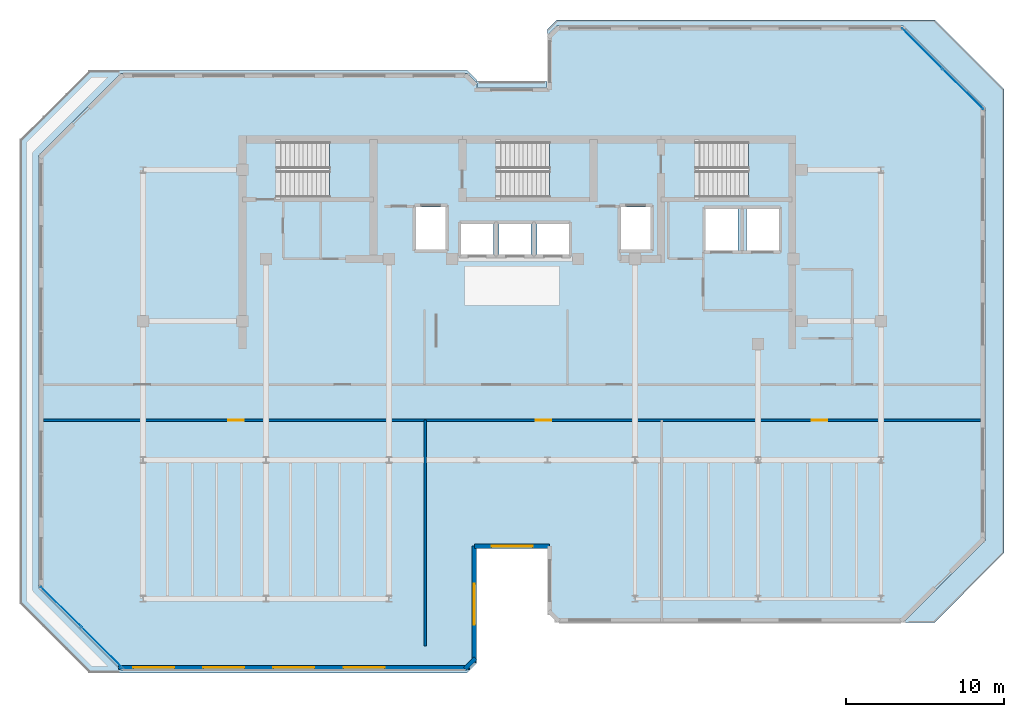
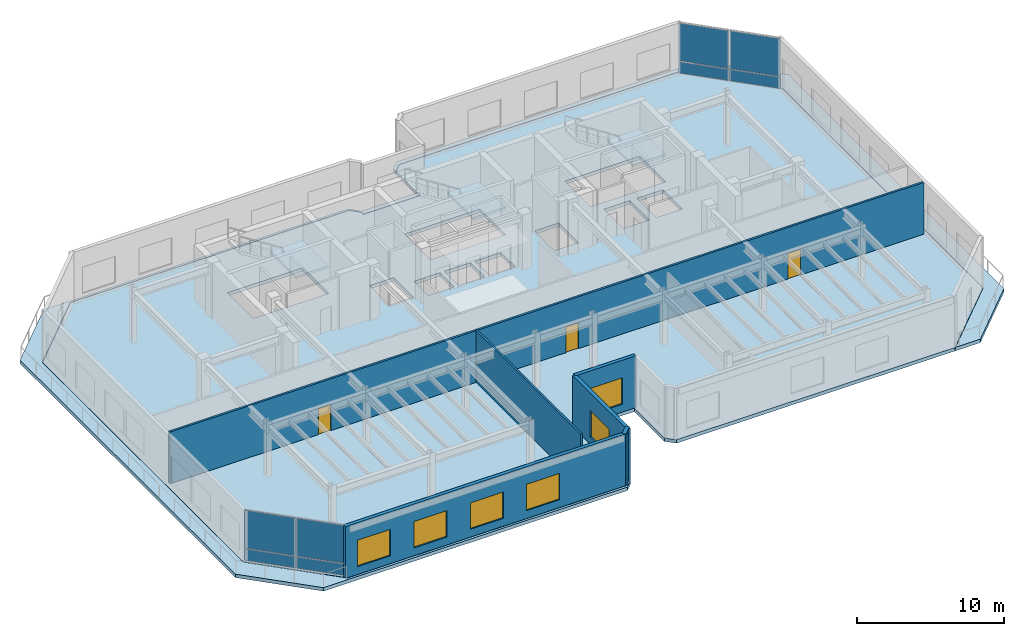
# One storey, part 5 of 14: 8 plates, 6 slabs, 6 walls, 6 windows, 3 doors, 9 openings, 5 elements without a shape of their own.
"""IFC4 building model written with IfcOpenShell, lengths in metres."""

from ifc_helpers import new_model, si_unit, direction, frame, frame_2d, origin, origin_2d, place, context, subcontext, project, spatial, polyline, rectangle, outline, extrude, material, layer, layer_set, type_object, element, fill, aggregate, save


model = new_model("IFC4")

# Units and contexts
model_context = context("Model", 3, precision=1e-05, world=origin(), true_north=direction((0.0, 1.0)))
body_context = subcontext(model_context, "Body", "Model", "MODEL_VIEW")
ifc_project = project(units=[si_unit("LENGTHUNIT", "METRE"), si_unit("AREAUNIT", "SQUARE_METRE"), si_unit("VOLUMEUNIT", "CUBIC_METRE"), si_unit("PLANEANGLEUNIT", "RADIAN"), si_unit("MASSUNIT", "GRAM", prefix="KILO")], contexts=[model_context])

# Site, building, storey
site_placement = place(None, origin())
site = spatial("IfcSite", under=ifc_project, at=site_placement, CompositionType="ELEMENT")
building_placement = place(site_placement, origin())
building = spatial("IfcBuilding", under=site, at=building_placement, Name="Kestravale Grand Hotel", CompositionType="ELEMENT")
storey_placement = place(building_placement, frame((0.0, 0.0, 297.39990234375)))
storey = spatial("IfcBuildingStorey", under=building, at=storey_placement, Name="L74", CompositionType="ELEMENT", Elevation=297.39990234375)

# Curtain wall, plates
ifc_material_1 = material(Name="Thermally broken champagne-bronze aluminium and low-E glazing", Category="aluminium")
ifc_layer_1 = layer(ifc_material_1, 0.239990234375)
ifc_layer_set_1 = layer_set([ifc_layer_1], Name="CW-OBS")
curtain_wall_type = type_object("IfcCurtainWallType", Name="CW-OBS", PredefinedType="NOTDEFINED", material=ifc_layer_set_1)
curtain_wall_1_placement = place(storey_placement, origin())
curtain_wall_1 = element("IfcCurtainWall", 1, at=curtain_wall_1_placement, inside=storey, type_object=curtain_wall_type, Name="L74 unitised curtain wall 10", PredefinedType="NOTDEFINED")
ifc_material_2 = material(Name="Insulated clear low-E double glazing IGU", Category="glass")
ifc_layer_2 = layer(ifc_material_2, 0.0400390625)
ifc_layer_set_2 = layer_set([ifc_layer_2], Name="CW-PNL-40")
plate_type = type_object("IfcPlateType", Name="CW-PNL-40", PredefinedType="CURTAIN_PANEL", material=ifc_layer_set_2)
plate_1_placement = place(storey_placement, frame((67.593017578125, 43.509033203125, 0.0751953125), z_axis=(0.0, 0.0, 1.0), x_axis=(-0.707106781187, 0.707106781187, 0.0)))
plate_1 = element("IfcPlate", 2, at=plate_1_placement, type_object=plate_type, Name="CW-OBS panel 1.1", PredefinedType="CURTAIN_PANEL", context=body_context, shape_type="SweptSolid", body=[
    extrude(rectangle(XDim=3.569580078125, YDim=0.0400390625, at=origin_2d()), origin(), (0.0, 0.0, 1.0), 0.9375),
])
plate_2_placement = place(storey_placement, frame((67.593017578125, 43.509033203125, 1.087646484375), z_axis=(0.0, 0.0, 1.0), x_axis=(-0.707106781187, 0.707106781187, 0.0)))
plate_2 = element("IfcPlate", 3, at=plate_2_placement, type_object=plate_type, Name="CW-OBS panel 1.2", PredefinedType="CURTAIN_PANEL", context=body_context, shape_type="SweptSolid", body=[
    extrude(rectangle(XDim=3.569580078125, YDim=0.0400390625, at=origin_2d()), origin(), (0.0, 0.0, 1.0), 3.1474609375),
])
plate_3_placement = place(storey_placement, frame((65.009033203125, 46.093017578125, 0.0751953125), z_axis=(0.0, 0.0, 1.0), x_axis=(-0.707106781187, 0.707106781187, 0.0)))
plate_3 = element("IfcPlate", 4, at=plate_3_placement, type_object=plate_type, Name="CW-OBS panel 2.1", PredefinedType="CURTAIN_PANEL", context=body_context, shape_type="SweptSolid", body=[
    extrude(rectangle(XDim=3.569580078125, YDim=0.0400390625, at=origin_2d()), origin(), (0.0, 0.0, 1.0), 0.9375),
])
plate_4_placement = place(storey_placement, frame((65.009033203125, 46.093017578125, 1.087646484375), z_axis=(0.0, 0.0, 1.0), x_axis=(-0.707106781187, 0.707106781187, 0.0)))
plate_4 = element("IfcPlate", 5, at=plate_4_placement, type_object=plate_type, Name="CW-OBS panel 2.2", PredefinedType="CURTAIN_PANEL", context=body_context, shape_type="SweptSolid", body=[
    extrude(rectangle(XDim=3.569580078125, YDim=0.0400390625, at=origin_2d()), origin(), (0.0, 0.0, 1.0), 3.1474609375),
])
aggregate(curtain_wall_1, [plate_1, plate_2, plate_3, plate_4])

curtain_wall_2_placement = place(storey_placement, origin())
curtain_wall_2 = element("IfcCurtainWall", 6, at=curtain_wall_2_placement, inside=storey, type_object=curtain_wall_type, Name="L74 unitised curtain wall 20", PredefinedType="NOTDEFINED")
plate_5_placement = place(storey_placement, frame((10.406982421875, 10.691162109375, 0.0751953125), z_axis=(0.0, 0.0, 1.0), x_axis=(0.707106781187, -0.707106781187, 0.0)))
plate_5 = element("IfcPlate", 7, at=plate_5_placement, type_object=plate_type, Name="CW-OBS panel 1.1", PredefinedType="CURTAIN_PANEL", context=body_context, shape_type="SweptSolid", body=[
    extrude(rectangle(XDim=3.569580078125, YDim=0.0400390625, at=origin_2d()), origin(), (0.0, 0.0, 1.0), 0.9375),
])
plate_6_placement = place(storey_placement, frame((10.406982421875, 10.691162109375, 1.087646484375), z_axis=(0.0, 0.0, 1.0), x_axis=(0.707106781187, -0.707106781187, 0.0)))
plate_6 = element("IfcPlate", 8, at=plate_6_placement, type_object=plate_type, Name="CW-OBS panel 1.2", PredefinedType="CURTAIN_PANEL", context=body_context, shape_type="SweptSolid", body=[
    extrude(rectangle(XDim=3.569580078125, YDim=0.0400390625, at=origin_2d()), origin(), (0.0, 0.0, 1.0), 3.1474609375),
])
plate_7_placement = place(storey_placement, frame((12.990966796875, 8.10693359375, 0.0751953125), z_axis=(0.0, 0.0, 1.0), x_axis=(0.707106781187, -0.707106781187, 0.0)))
plate_7 = element("IfcPlate", 9, at=plate_7_placement, type_object=plate_type, Name="CW-OBS panel 2.1", PredefinedType="CURTAIN_PANEL", context=body_context, shape_type="SweptSolid", body=[
    extrude(rectangle(XDim=3.569580078125, YDim=0.0400390625, at=origin_2d()), origin(), (0.0, 0.0, 1.0), 0.9375),
])
plate_8_placement = place(storey_placement, frame((12.990966796875, 8.10693359375, 1.087646484375), z_axis=(0.0, 0.0, 1.0), x_axis=(0.707106781187, -0.707106781187, 0.0)))
plate_8 = element("IfcPlate", 10, at=plate_8_placement, type_object=plate_type, Name="CW-OBS panel 2.2", PredefinedType="CURTAIN_PANEL", context=body_context, shape_type="SweptSolid", body=[
    extrude(rectangle(XDim=3.569580078125, YDim=0.0400390625, at=origin_2d()), origin(), (0.0, 0.0, 1.0), 3.1474609375),
])
aggregate(curtain_wall_2, [plate_5, plate_6, plate_7, plate_8])

# Slabs
ifc_material_3 = material(Name="Concrete f'c 45 MPa", Category="concrete")
ifc_layer_3 = layer(ifc_material_3, 0.2900390625)
ifc_layer_set_3 = layer_set([ifc_layer_3], Name="ES-TERR-290")
slab_type_1 = type_object("IfcSlabType", Name="ES-TERR-290", PredefinedType="ROOF", material=ifc_layer_set_3)
slab_1_placement = place(storey_placement, frame((0.0, 0.0, -0.289794921875)))
element("IfcSlab", 11, at=slab_1_placement, inside=storey, type_object=slab_type_1, Name="L74 setback terrace 1", PredefinedType="ROOF", context=body_context, shape_type="SweptSolid", body=[
    extrude(outline(polyline([(36.75, 7.10009765625), (36.14990234375, 6.5), (12.199951171875, 6.5), (7.800048828125, 10.89990234375), (7.800048828125, 40.300048828125), (12.199951171875, 44.699951171875), (36.14990234375, 44.699951171875), (36.75, 44.10009765625), (36.75, 44.0), (41.22998046875, 44.0), (41.22998046875, 43.6201171875), (36.77001953125, 43.6201171875), (36.77001953125, 43.89990234375), (36.77001953125, 43.902099609375), (36.76953125, 43.90380859375), (36.76904296875, 43.90576171875), (36.7685546875, 43.90771484375), (36.767578125, 43.909423828125), (36.7666015625, 43.9111328125), (36.765380859375, 43.91259765625), (36.76416015625, 43.9140625), (36.1640625, 44.51416015625), (36.16259765625, 44.515380859375), (36.1611328125, 44.5166015625), (36.159423828125, 44.517578125), (36.15771484375, 44.5185546875), (36.15576171875, 44.51904296875), (36.15380859375, 44.51953125), (36.152099609375, 44.52001953125), (36.14990234375, 44.52001953125), (14.199951171875, 44.52001953125), (14.197998046875, 44.52001953125), (14.196044921875, 44.51953125), (14.194091796875, 44.51904296875), (14.1923828125, 44.5185546875), (14.190673828125, 44.517578125), (14.18896484375, 44.5166015625), (14.187255859375, 44.515380859375), (14.185791015625, 44.51416015625), (8.98583984375, 39.314208984375), (8.984619140625, 39.312744140625), (8.9833984375, 39.31103515625), (8.982421875, 39.309326171875), (8.9814453125, 39.3076171875), (8.98095703125, 39.305908203125), (8.98046875, 39.303955078125), (8.97998046875, 39.302001953125), (8.97998046875, 39.300048828125), (8.97998046875, 11.89990234375), (8.97998046875, 11.89794921875), (8.98046875, 11.89599609375), (8.98095703125, 11.894287109375), (8.9814453125, 11.892333984375), (8.982421875, 11.890625), (8.9833984375, 11.888916015625), (8.984619140625, 11.88720703125), (8.98583984375, 11.885986328125), (14.185791015625, 6.685791015625), (14.187255859375, 6.6845703125), (14.18896484375, 6.683349609375), (14.190673828125, 6.682373046875), (14.1923828125, 6.681396484375), (14.194091796875, 6.680908203125), (14.196044921875, 6.680419921875), (14.197998046875, 6.68017578125), (14.199951171875, 6.679931640625), (36.14990234375, 6.679931640625), (36.152099609375, 6.68017578125), (36.15380859375, 6.680419921875), (36.15576171875, 6.680908203125), (36.15771484375, 6.681396484375), (36.159423828125, 6.682373046875), (36.1611328125, 6.683349609375), (36.16259765625, 6.6845703125), (36.1640625, 6.685791015625), (36.75, 7.271728515625), (36.75, 7.10009765625)])), origin(), (0.0, 0.0, 1.0), 0.289794921875),
])
slab_2_placement = place(storey_placement, frame((0.0, 0.0, -0.289794921875)))
element("IfcSlab", 12, at=slab_2_placement, inside=storey, type_object=slab_type_1, Name="L74 setback terrace 2", PredefinedType="ROOF", context=body_context, shape_type="SweptSolid", body=[
    extrude(outline(polyline([(41.25, 47.300048828125), (41.85009765625, 47.89990234375), (65.800048828125, 47.89990234375), (70.199951171875, 43.5), (70.199951171875, 14.10009765625), (65.800048828125, 9.699951171875), (63.828369140625, 9.699951171875), (69.01416015625, 14.885986328125), (69.015380859375, 14.88720703125), (69.0166015625, 14.888916015625), (69.017578125, 14.890625), (69.0185546875, 14.892333984375), (69.01904296875, 14.894287109375), (69.01953125, 14.89599609375), (69.02001953125, 14.89794921875), (69.02001953125, 14.89990234375), (69.02001953125, 42.300048828125), (69.02001953125, 42.302001953125), (69.01953125, 42.303955078125), (69.01904296875, 42.305908203125), (69.0185546875, 42.3076171875), (69.017578125, 42.309326171875), (69.0166015625, 42.31103515625), (69.015380859375, 42.312744140625), (69.01416015625, 42.314208984375), (63.814208984375, 47.51416015625), (63.812744140625, 47.515380859375), (63.81103515625, 47.5166015625), (63.809326171875, 47.517578125), (63.8076171875, 47.5185546875), (63.805908203125, 47.51904296875), (63.803955078125, 47.51953125), (63.802001953125, 47.52001953125), (63.800048828125, 47.52001953125), (41.85009765625, 47.52001953125), (41.847900390625, 47.52001953125), (41.84619140625, 47.51953125), (41.84423828125, 47.51904296875), (41.84228515625, 47.5185546875), (41.840576171875, 47.517578125), (41.8388671875, 47.5166015625), (41.83740234375, 47.515380859375), (41.8359375, 47.51416015625), (41.25, 46.92822265625), (41.25, 47.300048828125)])), origin(), (0.0, 0.0, 1.0), 0.289794921875),
])

# Stair, slab
ifc_material_4 = material(Name="Concrete f'c 45 MPa", Category="concrete")
stair_type = type_object("IfcStairType", Name="ST-CORE-460", PredefinedType="HALF_TURN_STAIR", material=ifc_material_4)
stair_1_placement = place(storey_placement, origin())
stair_1 = element("IfcStair", 13, at=stair_1_placement, inside=storey, type_object=stair_type, Name="L74 ST-1", PredefinedType="HALF_TURN_STAIR")
ifc_material_5 = material(Name="Concrete f'c 45 MPa", Category="concrete")
ifc_layer_4 = layer(ifc_material_5, 0.199951171875)
ifc_layer_set_4 = layer_set([ifc_layer_4], Name="SLB-ST-LND200")
slab_type_2 = type_object("IfcSlabType", Name="SLB-ST-LND200", PredefinedType="LANDING", material=ifc_layer_set_4)
slab_3_placement = place(storey_placement, frame((0.0, 0.0, 2.10009765625)))
slab_3 = element("IfcSlab", 14, at=slab_3_placement, type_object=slab_type_2, Name="ST-1 landing 1", PredefinedType="LANDING", context=body_context, shape_type="SweptSolid", body=[
    extrude(outline(polyline([(27.43994140625, 36.64990234375), (30.0, 36.64990234375), (30.0, 40.159912109375), (27.43994140625, 40.159912109375), (27.43994140625, 36.64990234375)])), origin(), (0.0, 0.0, 1.0), 0.199951171875),
])
aggregate(stair_1, [slab_3])

stair_2_placement = place(storey_placement, origin())
stair_2 = element("IfcStair", 15, at=stair_2_placement, inside=storey, type_object=stair_type, Name="L74 ST-2", PredefinedType="HALF_TURN_STAIR")
slab_4_placement = place(storey_placement, frame((0.0, 0.0, 2.10009765625)))
slab_4 = element("IfcSlab", 16, at=slab_4_placement, type_object=slab_type_2, Name="ST-2 landing 1", PredefinedType="LANDING", context=body_context, shape_type="SweptSolid", body=[
    extrude(outline(polyline([(41.389892578125, 36.64990234375), (43.949951171875, 36.64990234375), (43.949951171875, 40.159912109375), (41.389892578125, 40.159912109375), (41.389892578125, 36.64990234375)])), origin(), (0.0, 0.0, 1.0), 0.199951171875),
])
aggregate(stair_2, [slab_4])

stair_3_placement = place(storey_placement, origin())
stair_3 = element("IfcStair", 17, at=stair_3_placement, inside=storey, type_object=stair_type, Name="L74 ST-3", PredefinedType="HALF_TURN_STAIR")
slab_5_placement = place(storey_placement, frame((0.0, 0.0, 2.10009765625)))
slab_5 = element("IfcSlab", 18, at=slab_5_placement, type_object=slab_type_2, Name="ST-3 landing 1", PredefinedType="LANDING", context=body_context, shape_type="SweptSolid", body=[
    extrude(outline(polyline([(53.989990234375, 36.64990234375), (56.550048828125, 36.64990234375), (56.550048828125, 40.159912109375), (53.989990234375, 40.159912109375), (53.989990234375, 36.64990234375)])), origin(), (0.0, 0.0, 1.0), 0.199951171875),
])
aggregate(stair_3, [slab_5])

# Slab
ifc_material_6 = material(Name="Concrete f'c 45 MPa", Category="concrete")
ifc_layer_5 = layer(ifc_material_6, 0.2900390625)
ifc_layer_set_5 = layer_set([ifc_layer_5], Name="SS-FLR-290")
slab_type_3 = type_object("IfcSlabType", Name="SS-FLR-290", PredefinedType="FLOOR", material=ifc_layer_set_5)
slab_6_placement = place(storey_placement, frame((0.0, 0.0, -0.289794921875)))
element("IfcSlab", 19, at=slab_6_placement, inside=storey, type_object=slab_type_3, Name="L74 structural floor slab", PredefinedType="FLOOR", context=body_context, shape_type="SweptSolid", body=[
    extrude(outline(polyline([(14.199951171875, 6.699951171875), (36.14990234375, 6.699951171875), (36.75, 7.300048828125), (36.75, 14.39990234375), (41.25, 14.39990234375), (41.25, 10.300048828125), (41.85009765625, 9.699951171875), (63.800048828125, 9.699951171875), (69.0, 14.89990234375), (69.0, 42.300048828125), (63.800048828125, 47.5), (41.85009765625, 47.5), (41.25, 46.89990234375), (41.25, 43.60009765625), (36.75, 43.60009765625), (36.75, 43.89990234375), (36.14990234375, 44.5), (14.199951171875, 44.5), (9.0, 39.300048828125), (9.0, 11.89990234375), (14.199951171875, 6.699951171875)]), holes=[polyline([(24.080078125, 36.64990234375), (30.0, 36.64990234375), (30.0, 40.159912109375), (24.080078125, 40.159912109375), (24.080078125, 36.64990234375)]), polyline([(38.030029296875, 36.64990234375), (43.949951171875, 36.64990234375), (43.949951171875, 40.159912109375), (38.030029296875, 40.159912109375), (38.030029296875, 36.64990234375)]), polyline([(50.6298828125, 36.64990234375), (56.550048828125, 36.64990234375), (56.550048828125, 40.159912109375), (50.6298828125, 40.159912109375), (50.6298828125, 36.64990234375)]), polyline([(35.780029296875, 33.030029296875), (37.820068359375, 33.030029296875), (37.820068359375, 34.969970703125), (35.780029296875, 34.969970703125), (35.780029296875, 33.030029296875)]), polyline([(38.179931640625, 33.030029296875), (40.219970703125, 33.030029296875), (40.219970703125, 34.969970703125), (38.179931640625, 34.969970703125), (38.179931640625, 33.030029296875)]), polyline([(40.580078125, 33.030029296875), (42.6201171875, 33.030029296875), (42.6201171875, 34.969970703125), (40.580078125, 34.969970703125), (40.580078125, 33.030029296875)]), polyline([(32.905029296875, 33.35498046875), (34.794921875, 33.35498046875), (34.794921875, 36.044921875), (32.905029296875, 36.044921875), (32.905029296875, 33.35498046875)]), polyline([(45.905029296875, 33.35498046875), (47.794921875, 33.35498046875), (47.794921875, 36.044921875), (45.905029296875, 36.044921875), (45.905029296875, 33.35498046875)]), polyline([(51.280029296875, 33.280029296875), (53.320068359375, 33.280029296875), (53.320068359375, 35.919921875), (51.280029296875, 35.919921875), (51.280029296875, 33.280029296875)]), polyline([(53.8798828125, 33.280029296875), (55.919921875, 33.280029296875), (55.919921875, 35.919921875), (53.8798828125, 35.919921875), (53.8798828125, 33.280029296875)])]), origin(), (0.0, 0.0, 1.0), 0.289794921875),
])

# Wall, openings, windows
ifc_material_7 = material(Name="Precast concrete f'c 45 MPa", Category="concrete")
ifc_layer_6 = layer(ifc_material_7, 0.280029296875)
ifc_layer_set_6 = layer_set([ifc_layer_6], Name="EW-PREC-280")
wall_type_1 = type_object("IfcWallType", Name="EW-PREC-280", PredefinedType="SOLIDWALL", material=ifc_layer_set_6)
wall_1_placement = place(storey_placement, frame((14.06005859375, 6.840087890625, 0.0), z_axis=(0.0, 0.0, 1.0), x_axis=(1.0, 0.0, 0.0)))
wall_1 = element("IfcWall", 20, at=wall_1_placement, inside=storey, type_object=wall_type_1, Name="L74 fluted precast facade wall 1", PredefinedType="SOLIDWALL", context=body_context, shape_type="SweptSolid", body=[
    extrude(rectangle(XDim=22.22998046875, YDim=0.280029296875, at=frame_2d((11.114990234375, 0.0))), origin(), (0.0, 0.0, 1.0), 4.31005859375),
])
opening_1_placement = place(wall_1_placement, frame((0.923095703125, 0.0, 0.64990234375)))
opening_1 = element("IfcOpeningElement", 21, at=opening_1_placement, cuts=wall_1, Name="Opening W-SKY-2600", PredefinedType="OPENING", context=body_context, shape_type="SweptSolid", body=[
    extrude(rectangle(XDim=2.60009765625, YDim=2.199951171875, at=frame_2d((1.300048828125, 1.10009765625))), frame((0.0, 0.14990234375, 0.0), z_axis=(0.0, -1.0, 0.0), x_axis=(1.0, 0.0, 0.0)), (0.0, 0.0, 1.0), 0.300048828125),
])
opening_2_placement = place(wall_1_placement, frame((5.368896484375, 0.0, 0.64990234375)))
opening_2 = element("IfcOpeningElement", 22, at=opening_2_placement, cuts=wall_1, Name="Opening W-SKY-2600", PredefinedType="OPENING", context=body_context, shape_type="SweptSolid", body=[
    extrude(rectangle(XDim=2.60009765625, YDim=2.199951171875, at=frame_2d((1.300048828125, 1.10009765625))), frame((0.0, 0.14990234375, 0.0), z_axis=(0.0, -1.0, 0.0), x_axis=(1.0, 0.0, 0.0)), (0.0, 0.0, 1.0), 0.300048828125),
])
opening_3_placement = place(wall_1_placement, frame((9.81494140625, 0.0, 0.64990234375)))
opening_3 = element("IfcOpeningElement", 23, at=opening_3_placement, cuts=wall_1, Name="Opening W-SKY-2600", PredefinedType="OPENING", context=body_context, shape_type="SweptSolid", body=[
    extrude(rectangle(XDim=2.60009765625, YDim=2.199951171875, at=frame_2d((1.300048828125, 1.10009765625))), frame((0.0, 0.14990234375, 0.0), z_axis=(0.0, -1.0, 0.0), x_axis=(1.0, 0.0, 0.0)), (0.0, 0.0, 1.0), 0.300048828125),
])
opening_4_placement = place(wall_1_placement, frame((14.260986328125, 0.0, 0.64990234375)))
opening_4 = element("IfcOpeningElement", 24, at=opening_4_placement, cuts=wall_1, Name="Opening W-SKY-2600", PredefinedType="OPENING", context=body_context, shape_type="SweptSolid", body=[
    extrude(rectangle(XDim=2.60009765625, YDim=2.199951171875, at=frame_2d((1.300048828125, 1.10009765625))), frame((0.0, 0.14990234375, 0.0), z_axis=(0.0, -1.0, 0.0), x_axis=(1.0, 0.0, 0.0)), (0.0, 0.0, 1.0), 0.300048828125),
])
ifc_material_8 = material(Name="Insulated low-E double glazing in aluminium frame", Category="aluminium")
window_type = type_object("IfcWindowType", Name="W-SKY-2600", PartitioningType="TRIPLE_PANEL_VERTICAL", PredefinedType="WINDOW", material=ifc_material_8)
window_1_placement = place(opening_1_placement, origin())
window_1 = element("IfcWindow", 25, at=window_1_placement, inside=storey, type_object=window_type, Name="L74 exterior window 1.1", OverallHeight=2.199951171875, OverallWidth=2.60009765625, PartitioningType="SINGLE_PANEL", PredefinedType="WINDOW", context=body_context, shape_type="SweptSolid", body=[
    extrude(rectangle(XDim=2.60009765625, YDim=2.199951171875, at=frame_2d((1.300048828125, 1.10009765625))), frame((0.0, 0.030029296875, 0.0), z_axis=(0.0, -1.0, 0.0), x_axis=(1.0, 0.0, 0.0)), (0.0, 0.0, 1.0), 0.06005859375),
])
fill(opening_1, window_1)
window_2_placement = place(opening_2_placement, origin())
window_2 = element("IfcWindow", 26, at=window_2_placement, inside=storey, type_object=window_type, Name="L74 exterior window 1.2", OverallHeight=2.199951171875, OverallWidth=2.60009765625, PartitioningType="SINGLE_PANEL", PredefinedType="WINDOW", context=body_context, shape_type="SweptSolid", body=[
    extrude(rectangle(XDim=2.60009765625, YDim=2.199951171875, at=frame_2d((1.300048828125, 1.10009765625))), frame((0.0, 0.030029296875, 0.0), z_axis=(0.0, -1.0, 0.0), x_axis=(1.0, 0.0, 0.0)), (0.0, 0.0, 1.0), 0.06005859375),
])
fill(opening_2, window_2)
window_3_placement = place(opening_3_placement, origin())
window_3 = element("IfcWindow", 27, at=window_3_placement, inside=storey, type_object=window_type, Name="L74 exterior window 1.3", OverallHeight=2.199951171875, OverallWidth=2.60009765625, PartitioningType="SINGLE_PANEL", PredefinedType="WINDOW", context=body_context, shape_type="SweptSolid", body=[
    extrude(rectangle(XDim=2.60009765625, YDim=2.199951171875, at=frame_2d((1.300048828125, 1.10009765625))), frame((0.0, 0.030029296875, 0.0), z_axis=(0.0, -1.0, 0.0), x_axis=(1.0, 0.0, 0.0)), (0.0, 0.0, 1.0), 0.06005859375),
])
fill(opening_3, window_3)
window_4_placement = place(opening_4_placement, origin())
window_4 = element("IfcWindow", 28, at=window_4_placement, inside=storey, type_object=window_type, Name="L74 exterior window 1.4", OverallHeight=2.199951171875, OverallWidth=2.60009765625, PartitioningType="SINGLE_PANEL", PredefinedType="WINDOW", context=body_context, shape_type="SweptSolid", body=[
    extrude(rectangle(XDim=2.60009765625, YDim=2.199951171875, at=frame_2d((1.300048828125, 1.10009765625))), frame((0.0, 0.030029296875, 0.0), z_axis=(0.0, -1.0, 0.0), x_axis=(1.0, 0.0, 0.0)), (0.0, 0.0, 1.0), 0.06005859375),
])
fill(opening_4, window_4)

# Wall
wall_2_placement = place(storey_placement, frame((36.022705078125, 6.770751953125, 0.0), z_axis=(0.0, 0.0, 1.0), x_axis=(0.707106781187, 0.707106781187, 0.0)))
element("IfcWall", 29, at=wall_2_placement, inside=storey, type_object=wall_type_1, Name="L74 fluted precast facade wall 2", PredefinedType="SOLIDWALL", context=body_context, shape_type="SweptSolid", body=[
    extrude(rectangle(XDim=0.928466796875, YDim=0.280029296875, at=frame_2d((0.46435546875, 0.0))), origin(), (0.0, 0.0, 1.0), 4.31005859375),
])

# Wall, opening, window
wall_3_placement = place(storey_placement, frame((36.610107421875, 7.159912109375, 0.0), z_axis=(0.0, 0.0, 1.0), x_axis=(0.0, 1.0, 0.0)))
wall_3 = element("IfcWall", 30, at=wall_3_placement, inside=storey, type_object=wall_type_1, Name="L74 fluted precast facade wall 3", PredefinedType="SOLIDWALL", context=body_context, shape_type="SweptSolid", body=[
    extrude(rectangle(XDim=7.380126953125, YDim=0.280029296875, at=frame_2d((3.68994140625, 0.0))), origin(), (0.0, 0.0, 1.0), 4.31005859375),
])
opening_5_placement = place(wall_3_placement, frame((2.389892578125, 0.0, 0.64990234375)))
opening_5 = element("IfcOpeningElement", 31, at=opening_5_placement, cuts=wall_3, Name="Opening W-SKY-2600", PredefinedType="OPENING", context=body_context, shape_type="SweptSolid", body=[
    extrude(rectangle(XDim=2.60009765625, YDim=2.199951171875, at=frame_2d((1.300048828125, 1.10009765625))), frame((0.0, 0.14990234375, 0.0), z_axis=(0.0, -1.0, 0.0), x_axis=(1.0, 0.0, 0.0)), (0.0, 0.0, 1.0), 0.300048828125),
])
window_5_placement = place(opening_5_placement, origin())
window_5 = element("IfcWindow", 32, at=window_5_placement, inside=storey, type_object=window_type, Name="L74 exterior window 3.1", OverallHeight=2.199951171875, OverallWidth=2.60009765625, PartitioningType="SINGLE_PANEL", PredefinedType="WINDOW", context=body_context, shape_type="SweptSolid", body=[
    extrude(rectangle(XDim=2.60009765625, YDim=2.199951171875, at=frame_2d((1.300048828125, 1.10009765625))), frame((0.0, 0.030029296875, 0.0), z_axis=(0.0, -1.0, 0.0), x_axis=(1.0, 0.0, 0.0)), (0.0, 0.0, 1.0), 0.06005859375),
])
fill(opening_5, window_5)

wall_4_placement = place(storey_placement, frame((36.610107421875, 14.5400390625, 0.0), z_axis=(0.0, 0.0, 1.0), x_axis=(1.0, 0.0, 0.0)))
wall_4 = element("IfcWall", 33, at=wall_4_placement, inside=storey, type_object=wall_type_1, Name="L74 fluted precast facade wall 4", PredefinedType="SOLIDWALL", context=body_context, shape_type="SweptSolid", body=[
    extrude(rectangle(XDim=4.77978515625, YDim=0.280029296875, at=frame_2d((2.389892578125, 0.0))), origin(), (0.0, 0.0, 1.0), 4.31005859375),
])
opening_6_placement = place(wall_4_placement, frame((1.090087890625, 0.0, 0.64990234375)))
opening_6 = element("IfcOpeningElement", 34, at=opening_6_placement, cuts=wall_4, Name="Opening W-SKY-2600", PredefinedType="OPENING", context=body_context, shape_type="SweptSolid", body=[
    extrude(rectangle(XDim=2.60009765625, YDim=2.199951171875, at=frame_2d((1.300048828125, 1.10009765625))), frame((0.0, 0.14990234375, 0.0), z_axis=(0.0, -1.0, 0.0), x_axis=(1.0, 0.0, 0.0)), (0.0, 0.0, 1.0), 0.300048828125),
])
window_6_placement = place(opening_6_placement, origin())
window_6 = element("IfcWindow", 35, at=window_6_placement, inside=storey, type_object=window_type, Name="L74 exterior window 4.1", OverallHeight=2.199951171875, OverallWidth=2.60009765625, PartitioningType="SINGLE_PANEL", PredefinedType="WINDOW", context=body_context, shape_type="SweptSolid", body=[
    extrude(rectangle(XDim=2.60009765625, YDim=2.199951171875, at=frame_2d((1.300048828125, 1.10009765625))), frame((0.0, 0.030029296875, 0.0), z_axis=(0.0, -1.0, 0.0), x_axis=(1.0, 0.0, 0.0)), (0.0, 0.0, 1.0), 0.06005859375),
])
fill(opening_6, window_6)

# Wall, openings, doors
ifc_material_9 = material(Name="Acoustic fire-rated gypsum board partition", Category="other")
ifc_layer_7 = layer(ifc_material_9, 0.159912109375)
ifc_layer_set_7 = layer_set([ifc_layer_7], Name="IW-CORR-160")
wall_type_2 = type_object("IfcWallType", Name="IW-CORR-160", PredefinedType="PARTITIONING", material=ifc_layer_set_7)
wall_5_placement = place(storey_placement, frame((9.300048828125, 22.52001953125, 0.0), z_axis=(0.0, 0.0, 1.0), x_axis=(1.0, 0.0, 0.0)))
wall_5 = element("IfcWall", 36, at=wall_5_placement, inside=storey, type_object=wall_type_2, Name="W-L74-SC-S", PredefinedType="PARTITIONING", context=body_context, shape_type="SweptSolid", body=[
    extrude(rectangle(XDim=59.39990234375, YDim=0.159912109375, at=frame_2d((29.699951171875, 0.0))), origin(), (0.0, 0.0, 1.0), 4.31005859375),
])
opening_7_placement = place(wall_5_placement, frame((11.699951171875, 0.0, 0.0)))
opening_7 = element("IfcOpeningElement", 37, at=opening_7_placement, cuts=wall_5, Name="Opening D-GUEST-1000", PredefinedType="OPENING", context=body_context, shape_type="SweptSolid", body=[
    extrude(rectangle(XDim=1.0, YDim=2.14990234375, at=frame_2d((0.5, 1.074951171875))), frame((0.0, 0.08984375, 0.0), z_axis=(0.0, -1.0, 0.0), x_axis=(1.0, 0.0, 0.0)), (0.0, 0.0, 1.0), 0.179931640625),
])
opening_8_placement = place(wall_5_placement, frame((31.199951171875, 0.0, 0.0)))
opening_8 = element("IfcOpeningElement", 38, at=opening_8_placement, cuts=wall_5, Name="Opening D-GUEST-1000", PredefinedType="OPENING", context=body_context, shape_type="SweptSolid", body=[
    extrude(rectangle(XDim=1.0, YDim=2.14990234375, at=frame_2d((0.5, 1.074951171875))), frame((0.0, 0.08984375, 0.0), z_axis=(0.0, -1.0, 0.0), x_axis=(1.0, 0.0, 0.0)), (0.0, 0.0, 1.0), 0.179931640625),
])
opening_9_placement = place(wall_5_placement, frame((48.699951171875, 0.0, 0.0)))
opening_9 = element("IfcOpeningElement", 39, at=opening_9_placement, cuts=wall_5, Name="Opening D-GUEST-1000", PredefinedType="OPENING", context=body_context, shape_type="SweptSolid", body=[
    extrude(rectangle(XDim=1.0, YDim=2.14990234375, at=frame_2d((0.5, 1.074951171875))), frame((0.0, 0.08984375, 0.0), z_axis=(0.0, -1.0, 0.0), x_axis=(1.0, 0.0, 0.0)), (0.0, 0.0, 1.0), 0.179931640625),
])
ifc_material_10 = material(Name="Accessible walnut veneer hotel entrance fire door", Category="wood")
door_type = type_object("IfcDoorType", Name="D-GUEST-1000", OperationType="NOTDEFINED", PredefinedType="DOOR", material=ifc_material_10)
door_1_placement = place(opening_7_placement, origin())
door_1 = element("IfcDoor", 40, at=door_1_placement, inside=storey, type_object=door_type, Name="D-L74-REST", OperationType="SINGLE_SWING_RIGHT", OverallHeight=2.14990234375, OverallWidth=1.0, PredefinedType="DOOR", context=body_context, shape_type="SweptSolid", body=[
    extrude(rectangle(XDim=1.0, YDim=2.14990234375, at=frame_2d((0.5, 1.074951171875))), frame((0.0, 0.02490234375, 0.0), z_axis=(0.0, -1.0, 0.0), x_axis=(1.0, 0.0, 0.0)), (0.0, 0.0, 1.0), 0.050048828125),
])
fill(opening_7, door_1)
door_2_placement = place(opening_8_placement, origin())
door_2 = element("IfcDoor", 41, at=door_2_placement, inside=storey, type_object=door_type, Name="D-L74-SKITCH", OperationType="SINGLE_SWING_LEFT", OverallHeight=2.14990234375, OverallWidth=1.0, PredefinedType="DOOR", context=body_context, shape_type="SweptSolid", body=[
    extrude(rectangle(XDim=1.0, YDim=2.14990234375, at=frame_2d((0.5, 1.074951171875))), frame((0.0, 0.02490234375, 0.0), z_axis=(0.0, -1.0, 0.0), x_axis=(1.0, 0.0, 0.0)), (0.0, 0.0, 1.0), 0.050048828125),
])
fill(opening_8, door_2)
door_3_placement = place(opening_9_placement, origin())
door_3 = element("IfcDoor", 42, at=door_3_placement, inside=storey, type_object=door_type, Name="D-L74-BAR74", OperationType="SINGLE_SWING_RIGHT", OverallHeight=2.14990234375, OverallWidth=1.0, PredefinedType="DOOR", context=body_context, shape_type="SweptSolid", body=[
    extrude(rectangle(XDim=1.0, YDim=2.14990234375, at=frame_2d((0.5, 1.074951171875))), frame((0.0, 0.02490234375, 0.0), z_axis=(0.0, -1.0, 0.0), x_axis=(1.0, 0.0, 0.0)), (0.0, 0.0, 1.0), 0.050048828125),
])
fill(opening_9, door_3)

# Wall
ifc_material_11 = material(Name="Double-stud STC 52 acoustic demising partition", Category="other")
ifc_layer_8 = layer(ifc_material_11, 0.14990234375)
ifc_layer_set_8 = layer_set([ifc_layer_8], Name="IW-UNIT-150")
wall_type_3 = type_object("IfcWallType", Name="IW-UNIT-150", PredefinedType="PARTITIONING", material=ifc_layer_set_8)
wall_6_placement = place(storey_placement, frame((33.5, 8.199951171875, 0.0), z_axis=(0.0, 0.0, 1.0), x_axis=(0.0, 1.0, 0.0)))
element("IfcWall", 43, at=wall_6_placement, inside=storey, type_object=wall_type_3, Name="W-L74-SD-1", PredefinedType="PARTITIONING", context=body_context, shape_type="SweptSolid", body=[
    extrude(rectangle(XDim=14.320068359375, YDim=0.14990234375, at=frame_2d((7.16015625, 0.0))), origin(), (0.0, 0.0, 1.0), 4.31005859375),
])

save(model, "model.ifc")
